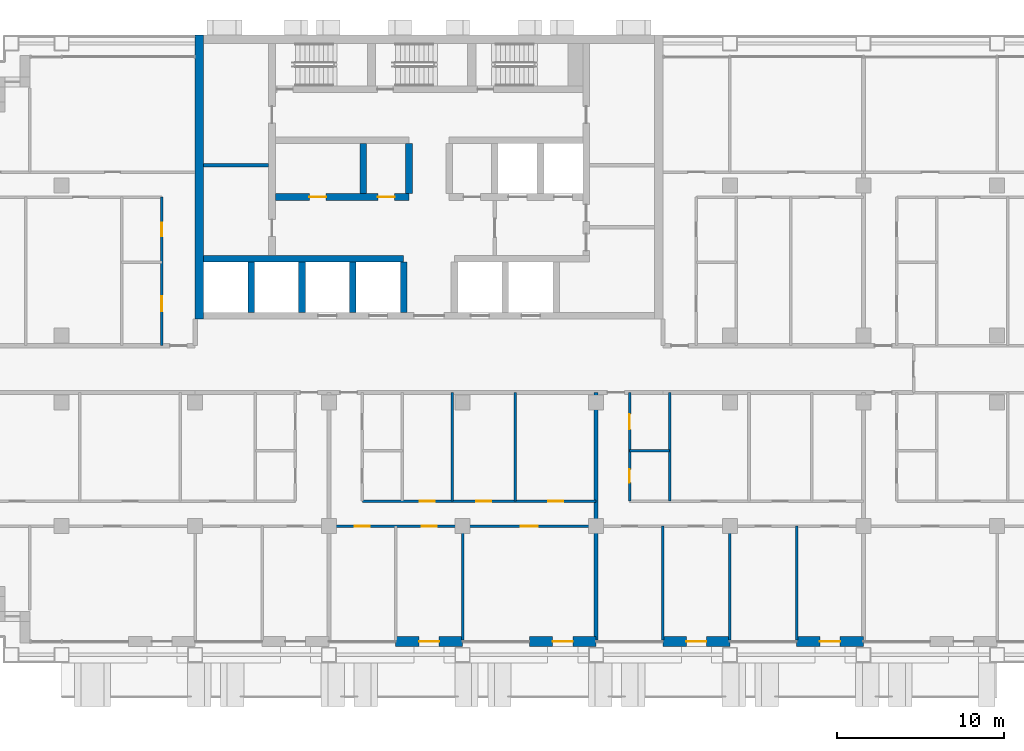
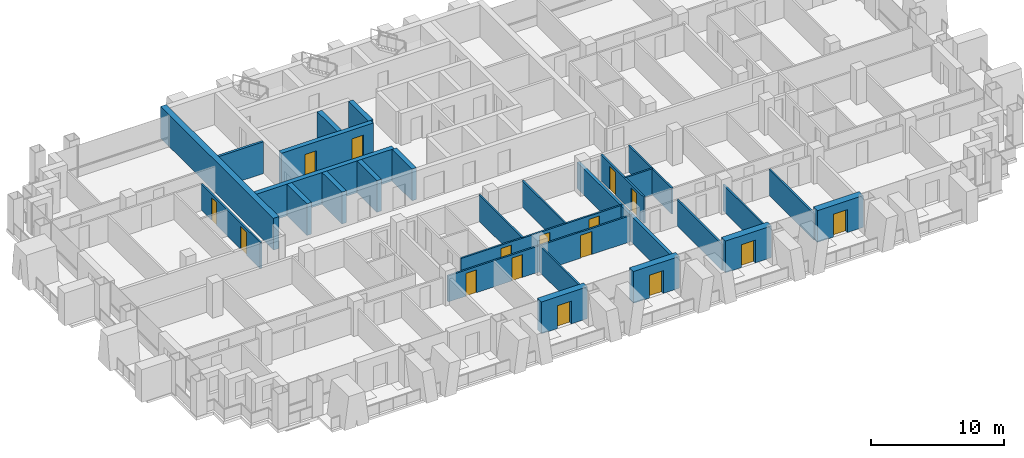
# One storey, part 10 of 18: 27 walls, 16 doors, 16 openings.
"""IFC4 building model written with IfcOpenShell, lengths in metres."""

from ifc_helpers import new_model, si_unit, direction, frame, frame_2d, origin, place, context, subcontext, project, spatial, rectangle, extrude, material, layer, layer_set, type_object, element, fill, save


model = new_model("IFC4")

# Units and contexts
model_context = context("Model", 3, precision=1e-05, world=origin(), true_north=direction((0.0, 1.0)))
body_context = subcontext(model_context, "Body", "Model", "MODEL_VIEW")
ifc_project = project(units=[si_unit("LENGTHUNIT", "METRE"), si_unit("AREAUNIT", "SQUARE_METRE"), si_unit("VOLUMEUNIT", "CUBIC_METRE"), si_unit("PLANEANGLEUNIT", "RADIAN"), si_unit("MASSUNIT", "GRAM", prefix="KILO")], contexts=[model_context])

# Site, building, storey
site_placement = place(None, origin())
site = spatial("IfcSite", under=ifc_project, at=site_placement, CompositionType="ELEMENT")
building_placement = place(site_placement, origin())
building = spatial("IfcBuilding", under=site, at=building_placement, Name="Vidyagriha Tower", CompositionType="ELEMENT")
storey_placement = place(building_placement, frame((0.0, 0.0, 83.89990234375)))
storey = spatial("IfcBuildingStorey", under=building, at=storey_placement, Name="L21", CompositionType="ELEMENT", Elevation=83.89990234375)

# Wall, opening, door
ifc_material_1 = material(Name="Precast concrete C40/50 with brick facing", Category="concrete")
ifc_layer_1 = layer(ifc_material_1, 0.60009765625)
ifc_layer_set_1 = layer_set([ifc_layer_1], Name="Precast concrete C40/50 with brick facing")
wall_type_1 = type_object("IfcWallType", Name="Brick-faced precast wall 600", PredefinedType="STANDARD", material=ifc_layer_set_1)
wall_1_placement = place(storey_placement, frame((-2.0, -16.300048828125, 0.0)))
wall_1 = element("IfcWall", 1, at=wall_1_placement, inside=storey, type_object=wall_type_1, Name="Brick door bay wall L21 R23.7", PredefinedType="STANDARD", context=body_context, shape_type="SweptSolid", body=[
    extrude(rectangle(XDim=4.0, YDim=0.60009765625, at=frame_2d((2.0, 0.0))), origin(), (0.0, 0.0, 1.0), 2.920166015625),
])
opening_1_placement = place(wall_1_placement, frame((1.39990234375, 0.0, 0.0)))
opening_1 = element("IfcOpeningElement", 2, at=opening_1_placement, cuts=wall_1, Name="Opening D21-76", PredefinedType="OPENING", context=body_context, shape_type="SweptSolid", body=[
    extrude(rectangle(XDim=1.199951171875, YDim=2.10009765625, at=frame_2d((0.60009765625, 1.050048828125))), frame((0.0, 0.31005859375, 0.0), z_axis=(0.0, -1.0, 0.0), x_axis=(1.0, 0.0, 0.0)), (0.0, 0.0, 1.0), 0.6201171875),
])
ifc_material_2 = material(Name="Aluminium framed glazed sliding door", Category="aluminium")
door_type_1 = type_object("IfcDoorType", Name="Balcony sliding door 1200x2100", OperationType="NOTDEFINED", PredefinedType="DOOR", material=ifc_material_2)
door_1_placement = place(opening_1_placement, origin())
door_1 = element("IfcDoor", 3, at=door_1_placement, inside=storey, type_object=door_type_1, Name="Door D21-76", OperationType="SLIDING_TO_LEFT", OverallHeight=2.10009765625, OverallWidth=1.199951171875, PredefinedType="DOOR", context=body_context, shape_type="SweptSolid", body=[
    extrude(rectangle(XDim=1.199951171875, YDim=2.10009765625, at=frame_2d((0.60009765625, 1.050048828125))), frame((0.0, 0.02490234375, 0.0), z_axis=(0.0, -1.0, 0.0), x_axis=(1.0, 0.0, 0.0)), (0.0, 0.0, 1.0), 0.050048828125),
])
fill(opening_1, door_1)

wall_2_placement = place(storey_placement, frame((6.0, -16.300048828125, 0.0)))
wall_2 = element("IfcWall", 4, at=wall_2_placement, inside=storey, type_object=wall_type_1, Name="Brick door bay wall L21 R23.9", PredefinedType="STANDARD", context=body_context, shape_type="SweptSolid", body=[
    extrude(rectangle(XDim=4.0, YDim=0.60009765625, at=frame_2d((2.0, 0.0))), origin(), (0.0, 0.0, 1.0), 2.920166015625),
])
opening_2_placement = place(wall_2_placement, frame((1.39990234375, 0.0, 0.0)))
opening_2 = element("IfcOpeningElement", 5, at=opening_2_placement, cuts=wall_2, Name="Opening D21-77", PredefinedType="OPENING", context=body_context, shape_type="SweptSolid", body=[
    extrude(rectangle(XDim=1.199951171875, YDim=2.10009765625, at=frame_2d((0.60009765625, 1.050048828125))), frame((0.0, 0.31005859375, 0.0), z_axis=(0.0, -1.0, 0.0), x_axis=(1.0, 0.0, 0.0)), (0.0, 0.0, 1.0), 0.6201171875),
])
door_2_placement = place(opening_2_placement, origin())
door_2 = element("IfcDoor", 6, at=door_2_placement, inside=storey, type_object=door_type_1, Name="Door D21-77", OperationType="SLIDING_TO_LEFT", OverallHeight=2.10009765625, OverallWidth=1.199951171875, PredefinedType="DOOR", context=body_context, shape_type="SweptSolid", body=[
    extrude(rectangle(XDim=1.199951171875, YDim=2.10009765625, at=frame_2d((0.60009765625, 1.050048828125))), frame((0.0, 0.02490234375, 0.0), z_axis=(0.0, -1.0, 0.0), x_axis=(1.0, 0.0, 0.0)), (0.0, 0.0, 1.0), 0.050048828125),
])
fill(opening_2, door_2)

wall_3_placement = place(storey_placement, frame((14.0, -16.300048828125, 0.0)))
wall_3 = element("IfcWall", 7, at=wall_3_placement, inside=storey, type_object=wall_type_1, Name="Brick door bay wall L21 R23.11", PredefinedType="STANDARD", context=body_context, shape_type="SweptSolid", body=[
    extrude(rectangle(XDim=4.0, YDim=0.60009765625, at=frame_2d((2.0, 0.0))), origin(), (0.0, 0.0, 1.0), 2.920166015625),
])
opening_3_placement = place(wall_3_placement, frame((1.39990234375, 0.0, 0.0)))
opening_3 = element("IfcOpeningElement", 8, at=opening_3_placement, cuts=wall_3, Name="Opening D21-78", PredefinedType="OPENING", context=body_context, shape_type="SweptSolid", body=[
    extrude(rectangle(XDim=1.199951171875, YDim=2.10009765625, at=frame_2d((0.60009765625, 1.050048828125))), frame((0.0, 0.31005859375, 0.0), z_axis=(0.0, -1.0, 0.0), x_axis=(1.0, 0.0, 0.0)), (0.0, 0.0, 1.0), 0.6201171875),
])
door_3_placement = place(opening_3_placement, origin())
door_3 = element("IfcDoor", 9, at=door_3_placement, inside=storey, type_object=door_type_1, Name="Door D21-78", OperationType="SLIDING_TO_LEFT", OverallHeight=2.10009765625, OverallWidth=1.199951171875, PredefinedType="DOOR", context=body_context, shape_type="SweptSolid", body=[
    extrude(rectangle(XDim=1.199951171875, YDim=2.10009765625, at=frame_2d((0.60009765625, 1.050048828125))), frame((0.0, 0.02490234375, 0.0), z_axis=(0.0, -1.0, 0.0), x_axis=(1.0, 0.0, 0.0)), (0.0, 0.0, 1.0), 0.050048828125),
])
fill(opening_3, door_3)

wall_4_placement = place(storey_placement, frame((22.0, -16.300048828125, 0.0)))
wall_4 = element("IfcWall", 10, at=wall_4_placement, inside=storey, type_object=wall_type_1, Name="Brick door bay wall L21 R23.13", PredefinedType="STANDARD", context=body_context, shape_type="SweptSolid", body=[
    extrude(rectangle(XDim=4.0, YDim=0.60009765625, at=frame_2d((2.0, 0.0))), origin(), (0.0, 0.0, 1.0), 2.920166015625),
])
opening_4_placement = place(wall_4_placement, frame((1.39990234375, 0.0, 0.0)))
opening_4 = element("IfcOpeningElement", 11, at=opening_4_placement, cuts=wall_4, Name="Opening D21-79", PredefinedType="OPENING", context=body_context, shape_type="SweptSolid", body=[
    extrude(rectangle(XDim=1.199951171875, YDim=2.10009765625, at=frame_2d((0.60009765625, 1.050048828125))), frame((0.0, 0.31005859375, 0.0), z_axis=(0.0, -1.0, 0.0), x_axis=(1.0, 0.0, 0.0)), (0.0, 0.0, 1.0), 0.6201171875),
])
door_4_placement = place(opening_4_placement, origin())
door_4 = element("IfcDoor", 12, at=door_4_placement, inside=storey, type_object=door_type_1, Name="Door D21-79", OperationType="SLIDING_TO_LEFT", OverallHeight=2.10009765625, OverallWidth=1.199951171875, PredefinedType="DOOR", context=body_context, shape_type="SweptSolid", body=[
    extrude(rectangle(XDim=1.199951171875, YDim=2.10009765625, at=frame_2d((0.60009765625, 1.050048828125))), frame((0.0, 0.02490234375, 0.0), z_axis=(0.0, -1.0, 0.0), x_axis=(1.0, 0.0, 0.0)), (0.0, 0.0, 1.0), 0.050048828125),
])
fill(opening_4, door_4)

# Walls
ifc_material_3 = material(Name="Concrete C60/75", Category="concrete")
ifc_layer_2 = layer(ifc_material_3, 0.39990234375)
ifc_layer_set_2 = layer_set([ifc_layer_2], Name="Concrete C60/75")
wall_type_2 = type_object("IfcWallType", Name="Core shear wall 400 mm", PredefinedType="SHEAR", material=ifc_layer_set_2)
wall_5_placement = place(storey_placement, frame((-13.5, 6.60009765625, 0.0)))
element("IfcWall", 13, at=wall_5_placement, inside=storey, type_object=wall_type_2, Name="Core lobby south wall west", PredefinedType="SHEAR", context=body_context, shape_type="SweptSolid", body=[
    extrude(rectangle(XDim=11.977783203125, YDim=0.39990234375, at=frame_2d((5.98876953125, 0.0))), origin(), (0.0, 0.0, 1.0), 2.920166015625),
])
for number, where, z_axis, x_axis, name in (
    (14, (-10.655517578125, 3.39990234375, 0.0), (0.0, 0.0, 1.0), (0.0, 1.0, 0.0), "Core bay wall S1"),
    (15, (-7.611083984375, 3.39990234375, 0.0), (0.0, 0.0, 1.0), (0.0, 1.0, 0.0), "Core bay wall S2"),
    (16, (-4.566650390625, 3.39990234375, 0.0), (0.0, 0.0, 1.0), (0.0, 1.0, 0.0), "Core bay wall S3"),
    (17, (-1.522216796875, 3.39990234375, 0.0), (0.0, 0.0, 1.0), (0.0, 1.0, 0.0), "Core bay wall S4"),
):
    element("IfcWall", number, at=place(storey_placement, frame(where, z_axis=z_axis, x_axis=x_axis)), inside=storey, type_object=wall_type_2, Name=name, PredefinedType="SHEAR", context=body_context, shape_type="SweptSolid", body=[
        extrude(rectangle(XDim=3.0, YDim=0.39990234375, at=frame_2d((1.5, 0.0))), origin(), (0.0, 0.0, 1.0), 2.920166015625),
    ])

# Wall, openings, doors
wall_6_placement = place(storey_placement, frame((-9.199951171875, 10.300048828125, 0.0)))
wall_6 = element("IfcWall", 18, at=wall_6_placement, inside=storey, type_object=wall_type_2, Name="Core row N front wall", PredefinedType="SHEAR", context=body_context, shape_type="SweptSolid", body=[
    extrude(rectangle(XDim=8.0, YDim=0.39990234375, at=frame_2d((4.0, 0.0))), origin(), (0.0, 0.0, 1.0), 2.920166015625),
])
opening_5_placement = place(wall_6_placement, frame((2.033203125, 0.0, 0.0)))
opening_5 = element("IfcOpeningElement", 19, at=opening_5_placement, cuts=wall_6, Name="Opening D21-02", PredefinedType="OPENING", context=body_context, shape_type="SweptSolid", body=[
    extrude(rectangle(XDim=1.0, YDim=2.10009765625, at=frame_2d((0.5, 1.050048828125))), frame((0.0, 0.2099609375, 0.0), z_axis=(0.0, -1.0, 0.0), x_axis=(1.0, 0.0, 0.0)), (0.0, 0.0, 1.0), 0.419921875),
])
opening_6_placement = place(wall_6_placement, frame((6.13330078125, 0.0, 0.0)))
opening_6 = element("IfcOpeningElement", 20, at=opening_6_placement, cuts=wall_6, Name="Opening D21-03", PredefinedType="OPENING", context=body_context, shape_type="SweptSolid", body=[
    extrude(rectangle(XDim=1.0, YDim=2.10009765625, at=frame_2d((0.5, 1.050048828125))), frame((0.0, 0.2099609375, 0.0), z_axis=(0.0, -1.0, 0.0), x_axis=(1.0, 0.0, 0.0)), (0.0, 0.0, 1.0), 0.419921875),
])
ifc_material_4 = material(Name="Hollow metal door leaf")
door_type_2 = type_object("IfcDoorType", Name="Core room door 1000 x 2100 mm EI 60", OperationType="NOTDEFINED", PredefinedType="DOOR", material=ifc_material_4)
door_5_placement = place(opening_5_placement, frame((1.0, 0.0, 0.0), z_axis=(0.0, 0.0, 1.0), x_axis=(-1.0, 0.0, 0.0)))
door_5 = element("IfcDoor", 21, at=door_5_placement, inside=storey, type_object=door_type_2, Name="Door Cleaners Store 21.14", OperationType="SINGLE_SWING_RIGHT", OverallHeight=2.10009765625, OverallWidth=1.0, PredefinedType="DOOR", context=body_context, shape_type="SweptSolid", body=[
    extrude(rectangle(XDim=1.0, YDim=2.10009765625, at=frame_2d((0.5, 1.050048828125))), frame((0.0, 0.02490234375, 0.0), z_axis=(0.0, -1.0, 0.0), x_axis=(1.0, 0.0, 0.0)), (0.0, 0.0, 1.0), 0.050048828125),
])
fill(opening_5, door_5)
door_6_placement = place(opening_6_placement, frame((1.0, 0.0, 0.0), z_axis=(0.0, 0.0, 1.0), x_axis=(-1.0, 0.0, 0.0)))
door_6 = element("IfcDoor", 22, at=door_6_placement, inside=storey, type_object=door_type_2, Name="Door Pressurisation Plant Room 21.15", OperationType="SINGLE_SWING_LEFT", OverallHeight=2.10009765625, OverallWidth=1.0, PredefinedType="DOOR", context=body_context, shape_type="SweptSolid", body=[
    extrude(rectangle(XDim=1.0, YDim=2.10009765625, at=frame_2d((0.5, 1.050048828125))), frame((0.0, 0.02490234375, 0.0), z_axis=(0.0, -1.0, 0.0), x_axis=(1.0, 0.0, 0.0)), (0.0, 0.0, 1.0), 0.050048828125),
])
fill(opening_6, door_6)

# Walls
for number, where, z_axis, x_axis, name in (
    (23, (-3.933349609375, 10.5, 0.0), (0.0, 0.0, 1.0), (0.0, 1.0, 0.0), "Core bay wall N2"),
    (24, (-1.199951171875, 10.5, 0.0), (0.0, 0.0, 1.0), (0.0, 1.0, 0.0), "Core bay wall N3"),
):
    element("IfcWall", number, at=place(storey_placement, frame(where, z_axis=z_axis, x_axis=x_axis)), inside=storey, type_object=wall_type_2, Name=name, PredefinedType="SHEAR", context=body_context, shape_type="SweptSolid", body=[
        extrude(rectangle(XDim=3.0, YDim=0.39990234375, at=frame_2d((1.5, 0.0))), origin(), (0.0, 0.0, 1.0), 2.920166015625),
    ])
ifc_material_5 = material(Name="Concrete C60/75", Category="concrete")
ifc_layer_3 = layer(ifc_material_5, 0.5)
ifc_layer_set_3 = layer_set([ifc_layer_3], Name="Concrete C60/75")
wall_type_3 = type_object("IfcWallType", Name="Core shear wall 500 mm", PredefinedType="SHEAR", material=ifc_layer_set_3)
wall_7_placement = place(storey_placement, frame((-13.75, 3.0, 0.0), z_axis=(0.0, 0.0, 1.0), x_axis=(0.0, 1.0, 0.0)))
element("IfcWall", 25, at=wall_7_placement, inside=storey, type_object=wall_type_3, Name="Core west wall", PredefinedType="SHEAR", context=body_context, shape_type="SweptSolid", body=[
    extrude(rectangle(XDim=17.0, YDim=0.5, at=frame_2d((8.5, 0.0))), origin(), (0.0, 0.0, 1.0), 2.920166015625),
])
ifc_material_6 = material(Name="Fired clay brick masonry", Category="masonry")
ifc_layer_4 = layer(ifc_material_6, 0.25)
ifc_layer_set_4 = layer_set([ifc_layer_4], Name="Fired clay brick masonry")
wall_type_4 = type_object("IfcWallType", Name="Fired clay brick demising wall 250", PredefinedType="PARTITIONING", material=ifc_layer_set_4)
wall_8_placement = place(storey_placement, frame((10.0, -1.39990234375, 0.0), z_axis=(0.0, 0.0, 1.0), x_axis=(0.0, -1.0, 0.0)))
element("IfcWall", 26, at=wall_8_placement, inside=storey, type_object=wall_type_4, Name="Wall all-L21-w060", PredefinedType="PARTITIONING", context=body_context, shape_type="SweptSolid", body=[
    extrude(rectangle(XDim=14.81005859375, YDim=0.25, at=frame_2d((7.405029296875, 0.0))), origin(), (0.0, 0.0, 1.0), 2.400146484375),
])
ifc_material_7 = material(Name="Gypsum board partition")
ifc_layer_5 = layer(ifc_material_7, 0.14990234375)
ifc_layer_set_5 = layer_set([ifc_layer_5], Name="Gypsum board partition")
wall_type_5 = type_object("IfcWallType", Name="Gypsum board partition 150", PredefinedType="PARTITIONING", material=ifc_layer_set_5)
for number, where, z_axis, x_axis, name in (
    (27, (1.39990234375, -1.39990234375, 0.0), (0.0, 0.0, 1.0), (0.0, -1.0, 0.0), "Wall all-L21-w026"),
    (28, (5.14990234375, -1.39990234375, 0.0), (0.0, 0.0, 1.0), (0.0, -1.0, 0.0), "Wall all-L21-w027"),
):
    element("IfcWall", number, at=place(storey_placement, frame(where, z_axis=z_axis, x_axis=x_axis)), inside=storey, type_object=wall_type_5, Name=name, PredefinedType="PARTITIONING", context=body_context, shape_type="SweptSolid", body=[
        extrude(rectangle(XDim=6.5, YDim=0.14990234375, at=frame_2d((3.25, 0.0))), origin(), (0.0, 0.0, 1.0), 2.400146484375),
    ])

# Wall, openings, doors
wall_9_placement = place(storey_placement, frame((-4.0, -7.89990234375, 0.0)))
wall_9 = element("IfcWall", 29, at=wall_9_placement, inside=storey, type_object=wall_type_5, Name="Wall all-L21-w028", PredefinedType="PARTITIONING", context=body_context, shape_type="SweptSolid", body=[
    extrude(rectangle(XDim=14.0, YDim=0.14990234375, at=frame_2d((7.0, 0.0))), origin(), (0.0, 0.0, 1.0), 2.400146484375),
])
opening_7_placement = place(wall_9_placement, frame((3.449951171875, 0.0, 0.0)))
opening_7 = element("IfcOpeningElement", 30, at=opening_7_placement, cuts=wall_9, Name="Opening D21-26", PredefinedType="OPENING", context=body_context, shape_type="SweptSolid", body=[
    extrude(rectangle(XDim=0.89990234375, YDim=2.10009765625, at=frame_2d((0.449951171875, 1.050048828125))), frame((0.0, 0.0849609375, 0.0), z_axis=(0.0, -1.0, 0.0), x_axis=(1.0, 0.0, 0.0)), (0.0, 0.0, 1.0), 0.169921875),
])
opening_8_placement = place(wall_9_placement, frame((6.824951171875, 0.0, 0.0)))
opening_8 = element("IfcOpeningElement", 31, at=opening_8_placement, cuts=wall_9, Name="Opening D21-27", PredefinedType="OPENING", context=body_context, shape_type="SweptSolid", body=[
    extrude(rectangle(XDim=0.89990234375, YDim=2.10009765625, at=frame_2d((0.449951171875, 1.050048828125))), frame((0.0, 0.0849609375, 0.0), z_axis=(0.0, -1.0, 0.0), x_axis=(1.0, 0.0, 0.0)), (0.0, 0.0, 1.0), 0.169921875),
])
opening_9_placement = place(wall_9_placement, frame((11.125, 0.0, 0.0)))
opening_9 = element("IfcOpeningElement", 32, at=opening_9_placement, cuts=wall_9, Name="Opening D21-28", PredefinedType="OPENING", context=body_context, shape_type="SweptSolid", body=[
    extrude(rectangle(XDim=0.89990234375, YDim=2.10009765625, at=frame_2d((0.449951171875, 1.050048828125))), frame((0.0, 0.0849609375, 0.0), z_axis=(0.0, -1.0, 0.0), x_axis=(1.0, 0.0, 0.0)), (0.0, 0.0, 1.0), 0.169921875),
])
ifc_material_8 = material(Name="Timber door leaf", Category="wood")
door_type_3 = type_object("IfcDoorType", Name="Room door 900x2100", OperationType="NOTDEFINED", PredefinedType="DOOR", material=ifc_material_8)
door_7_placement = place(opening_7_placement, origin())
door_7 = element("IfcDoor", 33, at=door_7_placement, inside=storey, type_object=door_type_3, Name="Door D21-26", OperationType="SINGLE_SWING_RIGHT", OverallHeight=2.10009765625, OverallWidth=0.89990234375, PredefinedType="DOOR", context=body_context, shape_type="SweptSolid", body=[
    extrude(rectangle(XDim=0.89990234375, YDim=2.10009765625, at=frame_2d((0.449951171875, 1.050048828125))), frame((0.0, 0.02490234375, 0.0), z_axis=(0.0, -1.0, 0.0), x_axis=(1.0, 0.0, 0.0)), (0.0, 0.0, 1.0), 0.050048828125),
])
fill(opening_7, door_7)
door_8_placement = place(opening_8_placement, origin())
door_8 = element("IfcDoor", 34, at=door_8_placement, inside=storey, type_object=door_type_3, Name="Door D21-27", OperationType="SINGLE_SWING_RIGHT", OverallHeight=2.10009765625, OverallWidth=0.89990234375, PredefinedType="DOOR", context=body_context, shape_type="SweptSolid", body=[
    extrude(rectangle(XDim=0.89990234375, YDim=2.10009765625, at=frame_2d((0.449951171875, 1.050048828125))), frame((0.0, 0.02490234375, 0.0), z_axis=(0.0, -1.0, 0.0), x_axis=(1.0, 0.0, 0.0)), (0.0, 0.0, 1.0), 0.050048828125),
])
fill(opening_8, door_8)
door_9_placement = place(opening_9_placement, origin())
door_9 = element("IfcDoor", 35, at=door_9_placement, inside=storey, type_object=door_type_3, Name="Door D21-28", OperationType="SINGLE_SWING_LEFT", OverallHeight=2.10009765625, OverallWidth=0.89990234375, PredefinedType="DOOR", context=body_context, shape_type="SweptSolid", body=[
    extrude(rectangle(XDim=0.89990234375, YDim=2.10009765625, at=frame_2d((0.449951171875, 1.050048828125))), frame((0.0, 0.02490234375, 0.0), z_axis=(0.0, -1.0, 0.0), x_axis=(1.0, 0.0, 0.0)), (0.0, 0.0, 1.0), 0.050048828125),
])
fill(opening_9, door_9)

wall_10_placement = place(storey_placement, frame((10.0, -9.39990234375, 0.0), z_axis=(0.0, 0.0, 1.0), x_axis=(-1.0, 0.0, 0.0)))
wall_10 = element("IfcWall", 36, at=wall_10_placement, inside=storey, type_object=wall_type_5, Name="Wall all-L21-w032", PredefinedType="PARTITIONING", context=body_context, shape_type="SweptSolid", body=[
    extrude(rectangle(XDim=16.0, YDim=0.14990234375, at=frame_2d((8.0, 0.0))), origin(), (0.0, 0.0, 1.0), 2.400146484375),
])
opening_10_placement = place(wall_10_placement, frame((13.550048828125, 0.0, 0.0)))
opening_10 = element("IfcOpeningElement", 37, at=opening_10_placement, cuts=wall_10, Name="Opening D21-29", PredefinedType="OPENING", context=body_context, shape_type="SweptSolid", body=[
    extrude(rectangle(XDim=0.89990234375, YDim=2.10009765625, at=frame_2d((0.449951171875, 1.050048828125))), frame((0.0, 0.0849609375, 0.0), z_axis=(0.0, -1.0, 0.0), x_axis=(1.0, 0.0, 0.0)), (0.0, 0.0, 1.0), 0.169921875),
])
opening_11_placement = place(wall_10_placement, frame((9.550048828125, 0.0, 0.0)))
opening_11 = element("IfcOpeningElement", 38, at=opening_11_placement, cuts=wall_10, Name="Opening D21-30", PredefinedType="OPENING", context=body_context, shape_type="SweptSolid", body=[
    extrude(rectangle(XDim=0.89990234375, YDim=2.10009765625, at=frame_2d((0.449951171875, 1.050048828125))), frame((0.0, 0.0849609375, 0.0), z_axis=(0.0, -1.0, 0.0), x_axis=(1.0, 0.0, 0.0)), (0.0, 0.0, 1.0), 0.169921875),
])
opening_12_placement = place(wall_10_placement, frame((3.5, 0.0, 0.0)))
opening_12 = element("IfcOpeningElement", 39, at=opening_12_placement, cuts=wall_10, Name="Opening D21-31", PredefinedType="OPENING", context=body_context, shape_type="SweptSolid", body=[
    extrude(rectangle(XDim=1.0, YDim=2.10009765625, at=frame_2d((0.5, 1.050048828125))), frame((0.0, 0.0849609375, 0.0), z_axis=(0.0, -1.0, 0.0), x_axis=(1.0, 0.0, 0.0)), (0.0, 0.0, 1.0), 0.169921875),
])
ifc_material_9 = material(Name="Timber door leaf", Category="wood")
door_type_4 = type_object("IfcDoorType", Name="Room door 1000x2100", OperationType="NOTDEFINED", PredefinedType="DOOR", material=ifc_material_9)
door_10_placement = place(opening_12_placement, origin())
door_10 = element("IfcDoor", 40, at=door_10_placement, inside=storey, type_object=door_type_4, Name="Door D21-31", OperationType="SINGLE_SWING_RIGHT", OverallHeight=2.10009765625, OverallWidth=1.0, PredefinedType="DOOR", context=body_context, shape_type="SweptSolid", body=[
    extrude(rectangle(XDim=1.0, YDim=2.10009765625, at=frame_2d((0.5, 1.050048828125))), frame((0.0, 0.02490234375, 0.0), z_axis=(0.0, -1.0, 0.0), x_axis=(1.0, 0.0, 0.0)), (0.0, 0.0, 1.0), 0.050048828125),
])
fill(opening_12, door_10)
door_11_placement = place(opening_10_placement, origin())
door_11 = element("IfcDoor", 41, at=door_11_placement, inside=storey, type_object=door_type_3, Name="Door D21-29", OperationType="SINGLE_SWING_RIGHT", OverallHeight=2.10009765625, OverallWidth=0.89990234375, PredefinedType="DOOR", context=body_context, shape_type="SweptSolid", body=[
    extrude(rectangle(XDim=0.89990234375, YDim=2.10009765625, at=frame_2d((0.449951171875, 1.050048828125))), frame((0.0, 0.02490234375, 0.0), z_axis=(0.0, -1.0, 0.0), x_axis=(1.0, 0.0, 0.0)), (0.0, 0.0, 1.0), 0.050048828125),
])
fill(opening_10, door_11)
door_12_placement = place(opening_11_placement, origin())
door_12 = element("IfcDoor", 42, at=door_12_placement, inside=storey, type_object=door_type_3, Name="Door D21-30", OperationType="SINGLE_SWING_RIGHT", OverallHeight=2.10009765625, OverallWidth=0.89990234375, PredefinedType="DOOR", context=body_context, shape_type="SweptSolid", body=[
    extrude(rectangle(XDim=0.89990234375, YDim=2.10009765625, at=frame_2d((0.449951171875, 1.050048828125))), frame((0.0, 0.02490234375, 0.0), z_axis=(0.0, -1.0, 0.0), x_axis=(1.0, 0.0, 0.0)), (0.0, 0.0, 1.0), 0.050048828125),
])
fill(opening_11, door_12)

# Walls
wall_11_placement = place(storey_placement, frame((2.0, -9.39990234375, 0.0), z_axis=(0.0, 0.0, 1.0), x_axis=(0.0, -1.0, 0.0)))
element("IfcWall", 43, at=wall_11_placement, inside=storey, type_object=wall_type_5, Name="Wall all-L21-w037", PredefinedType="PARTITIONING", context=body_context, shape_type="SweptSolid", body=[
    extrude(rectangle(XDim=6.81005859375, YDim=0.14990234375, at=frame_2d((3.405029296875, 0.0))), origin(), (0.0, 0.0, 1.0), 2.400146484375),
])
wall_12_placement = place(storey_placement, frame((14.39990234375, -4.89990234375, 0.0), z_axis=(0.0, 0.0, 1.0), x_axis=(-1.0, 0.0, 0.0)))
element("IfcWall", 44, at=wall_12_placement, inside=storey, type_object=wall_type_5, Name="Wall all-L21-w043", PredefinedType="PARTITIONING", context=body_context, shape_type="SweptSolid", body=[
    extrude(rectangle(XDim=2.39990234375, YDim=0.14990234375, at=frame_2d((1.199951171875, 0.0))), origin(), (0.0, 0.0, 1.0), 2.400146484375),
])
wall_13_placement = place(storey_placement, frame((14.39990234375, -1.39990234375, 0.0), z_axis=(0.0, 0.0, 1.0), x_axis=(0.0, -1.0, 0.0)))
element("IfcWall", 45, at=wall_13_placement, inside=storey, type_object=wall_type_5, Name="Wall all-L21-w044", PredefinedType="PARTITIONING", context=body_context, shape_type="SweptSolid", body=[
    extrude(rectangle(XDim=6.5, YDim=0.14990234375, at=frame_2d((3.25, 0.0))), origin(), (0.0, 0.0, 1.0), 2.400146484375),
])
wall_14_placement = place(storey_placement, frame((14.0, -9.39990234375, 0.0), z_axis=(0.0, 0.0, 1.0), x_axis=(0.0, -1.0, 0.0)))
element("IfcWall", 46, at=wall_14_placement, inside=storey, type_object=wall_type_5, Name="Wall all-L21-w056", PredefinedType="PARTITIONING", context=body_context, shape_type="SweptSolid", body=[
    extrude(rectangle(XDim=6.821044921875, YDim=0.14990234375, at=frame_2d((3.41064453125, 0.0))), origin(), (0.0, 0.0, 1.0), 2.400146484375),
])
wall_15_placement = place(storey_placement, frame((18.0, -9.39990234375, 0.0), z_axis=(0.0, 0.0, 1.0), x_axis=(0.0, -1.0, 0.0)))
element("IfcWall", 47, at=wall_15_placement, inside=storey, type_object=wall_type_5, Name="Wall all-L21-w057", PredefinedType="PARTITIONING", context=body_context, shape_type="SweptSolid", body=[
    extrude(rectangle(XDim=6.81005859375, YDim=0.14990234375, at=frame_2d((3.405029296875, 0.0))), origin(), (0.0, 0.0, 1.0), 2.400146484375),
])
wall_16_placement = place(storey_placement, frame((22.0, -9.39990234375, 0.0), z_axis=(0.0, 0.0, 1.0), x_axis=(0.0, -1.0, 0.0)))
element("IfcWall", 48, at=wall_16_placement, inside=storey, type_object=wall_type_5, Name="Wall all-L21-w058", PredefinedType="PARTITIONING", context=body_context, shape_type="SweptSolid", body=[
    extrude(rectangle(XDim=6.821044921875, YDim=0.14990234375, at=frame_2d((3.41064453125, 0.0))), origin(), (0.0, 0.0, 1.0), 2.400146484375),
])

# Wall, openings, doors
ifc_material_10 = material(Name="Moisture resistant gypsum board partition")
ifc_layer_6 = layer(ifc_material_10, 0.14990234375)
ifc_layer_set_6 = layer_set([ifc_layer_6], Name="Moisture resistant gypsum board partition")
wall_type_6 = type_object("IfcWallType", Name="Gypsum board wet-area partition 150", PredefinedType="PARTITIONING", material=ifc_layer_set_6)
wall_17_placement = place(storey_placement, frame((12.0, -1.39990234375, 0.0), z_axis=(0.0, 0.0, 1.0), x_axis=(0.0, -1.0, 0.0)))
wall_17 = element("IfcWall", 49, at=wall_17_placement, inside=storey, type_object=wall_type_6, Name="Wall all-L21-w040", PredefinedType="PARTITIONING", context=body_context, shape_type="SweptSolid", body=[
    extrude(rectangle(XDim=6.5, YDim=0.14990234375, at=frame_2d((3.25, 0.0))), origin(), (0.0, 0.0, 1.0), 2.400146484375),
])
opening_13_placement = place(wall_17_placement, frame((1.300048828125, 0.0, 0.0)))
opening_13 = element("IfcOpeningElement", 50, at=opening_13_placement, cuts=wall_17, Name="Opening D21-33", PredefinedType="OPENING", context=body_context, shape_type="SweptSolid", body=[
    extrude(rectangle(XDim=0.89990234375, YDim=2.10009765625, at=frame_2d((0.449951171875, 1.050048828125))), frame((0.0, 0.0849609375, 0.0), z_axis=(0.0, -1.0, 0.0), x_axis=(1.0, 0.0, 0.0)), (0.0, 0.0, 1.0), 0.169921875),
])
opening_14_placement = place(wall_17_placement, frame((4.60009765625, 0.0, 0.0)))
opening_14 = element("IfcOpeningElement", 51, at=opening_14_placement, cuts=wall_17, Name="Opening D21-34", PredefinedType="OPENING", context=body_context, shape_type="SweptSolid", body=[
    extrude(rectangle(XDim=0.800048828125, YDim=2.10009765625, at=frame_2d((0.39990234375, 1.050048828125))), frame((0.0, 0.0849609375, 0.0), z_axis=(0.0, -1.0, 0.0), x_axis=(1.0, 0.0, 0.0)), (0.0, 0.0, 1.0), 0.169921875),
])
ifc_material_11 = material(Name="Timber door leaf", Category="wood")
door_type_5 = type_object("IfcDoorType", Name="Bathroom door 800x2100", OperationType="NOTDEFINED", PredefinedType="DOOR", material=ifc_material_11)
door_13_placement = place(opening_14_placement, origin())
door_13 = element("IfcDoor", 52, at=door_13_placement, inside=storey, type_object=door_type_5, Name="Door D21-34", OperationType="SINGLE_SWING_RIGHT", OverallHeight=2.10009765625, OverallWidth=0.800048828125, PredefinedType="DOOR", context=body_context, shape_type="SweptSolid", body=[
    extrude(rectangle(XDim=0.800048828125, YDim=2.10009765625, at=frame_2d((0.39990234375, 1.050048828125))), frame((0.0, 0.02490234375, 0.0), z_axis=(0.0, -1.0, 0.0), x_axis=(1.0, 0.0, 0.0)), (0.0, 0.0, 1.0), 0.050048828125),
])
fill(opening_14, door_13)
ifc_material_12 = material(Name="Timber door leaf", Category="wood")
door_type_6 = type_object("IfcDoorType", Name="Kitchen door 900x2100", OperationType="NOTDEFINED", PredefinedType="DOOR", material=ifc_material_12)
door_14_placement = place(opening_13_placement, origin())
door_14 = element("IfcDoor", 53, at=door_14_placement, inside=storey, type_object=door_type_6, Name="Door D21-33", OperationType="SINGLE_SWING_LEFT", OverallHeight=2.10009765625, OverallWidth=0.89990234375, PredefinedType="DOOR", context=body_context, shape_type="SweptSolid", body=[
    extrude(rectangle(XDim=0.89990234375, YDim=2.10009765625, at=frame_2d((0.449951171875, 1.050048828125))), frame((0.0, 0.02490234375, 0.0), z_axis=(0.0, -1.0, 0.0), x_axis=(1.0, 0.0, 0.0)), (0.0, 0.0, 1.0), 0.050048828125),
])
fill(opening_13, door_14)

wall_18_placement = place(storey_placement, frame((-16.0, 1.39990234375, 0.0), z_axis=(0.0, 0.0, 1.0), x_axis=(0.0, 1.0, 0.0)))
wall_18 = element("IfcWall", 54, at=wall_18_placement, inside=storey, type_object=wall_type_6, Name="Wall all-L21-w079", PredefinedType="PARTITIONING", context=body_context, shape_type="SweptSolid", body=[
    extrude(rectangle(XDim=8.900146484375, YDim=0.14990234375, at=frame_2d((4.4501953125, 0.0))), origin(), (0.0, 0.0, 1.0), 2.400146484375),
])
opening_15_placement = place(wall_18_placement, frame((2.050048828125, 0.0, 0.0)))
opening_15 = element("IfcOpeningElement", 55, at=opening_15_placement, cuts=wall_18, Name="Opening D21-50", PredefinedType="OPENING", context=body_context, shape_type="SweptSolid", body=[
    extrude(rectangle(XDim=0.89990234375, YDim=2.10009765625, at=frame_2d((0.449951171875, 1.050048828125))), frame((0.0, 0.0849609375, 0.0), z_axis=(0.0, -1.0, 0.0), x_axis=(1.0, 0.0, 0.0)), (0.0, 0.0, 1.0), 0.169921875),
])
opening_16_placement = place(wall_18_placement, frame((6.550048828125, 0.0, 0.0)))
opening_16 = element("IfcOpeningElement", 56, at=opening_16_placement, cuts=wall_18, Name="Opening D21-51", PredefinedType="OPENING", context=body_context, shape_type="SweptSolid", body=[
    extrude(rectangle(XDim=0.800048828125, YDim=2.10009765625, at=frame_2d((0.39990234375, 1.050048828125))), frame((0.0, 0.0849609375, 0.0), z_axis=(0.0, -1.0, 0.0), x_axis=(1.0, 0.0, 0.0)), (0.0, 0.0, 1.0), 0.169921875),
])
door_15_placement = place(opening_16_placement, origin())
door_15 = element("IfcDoor", 57, at=door_15_placement, inside=storey, type_object=door_type_5, Name="Door D21-51", OperationType="SINGLE_SWING_LEFT", OverallHeight=2.10009765625, OverallWidth=0.800048828125, PredefinedType="DOOR", context=body_context, shape_type="SweptSolid", body=[
    extrude(rectangle(XDim=0.800048828125, YDim=2.10009765625, at=frame_2d((0.39990234375, 1.050048828125))), frame((0.0, 0.02490234375, 0.0), z_axis=(0.0, -1.0, 0.0), x_axis=(1.0, 0.0, 0.0)), (0.0, 0.0, 1.0), 0.050048828125),
])
fill(opening_16, door_15)
door_16_placement = place(opening_15_placement, origin())
door_16 = element("IfcDoor", 58, at=door_16_placement, inside=storey, type_object=door_type_6, Name="Door D21-50", OperationType="SINGLE_SWING_LEFT", OverallHeight=2.10009765625, OverallWidth=0.89990234375, PredefinedType="DOOR", context=body_context, shape_type="SweptSolid", body=[
    extrude(rectangle(XDim=0.89990234375, YDim=2.10009765625, at=frame_2d((0.449951171875, 1.050048828125))), frame((0.0, 0.02490234375, 0.0), z_axis=(0.0, -1.0, 0.0), x_axis=(1.0, 0.0, 0.0)), (0.0, 0.0, 1.0), 0.050048828125),
])
fill(opening_15, door_16)

# Wall
ifc_material_13 = material(Name="Blockwork 15 MPa", Category="masonry")
ifc_layer_7 = layer(ifc_material_13, 0.199951171875)
ifc_layer_set_7 = layer_set([ifc_layer_7], Name="Blockwork 15 MPa")
wall_type_7 = type_object("IfcWallType", Name="Service room partition 200 mm", PredefinedType="PARTITIONING", material=ifc_layer_set_7)
wall_19_placement = place(storey_placement, frame((-13.5, 12.199951171875, 0.0)))
element("IfcWall", 59, at=wall_19_placement, inside=storey, type_object=wall_type_7, Name="Core room partition W1", PredefinedType="PARTITIONING", context=body_context, shape_type="SweptSolid", body=[
    extrude(rectangle(XDim=3.89990234375, YDim=0.199951171875, at=frame_2d((1.949951171875, 0.0))), origin(), (0.0, 0.0, 1.0), 2.920166015625),
])

save(model, "model.ifc")
